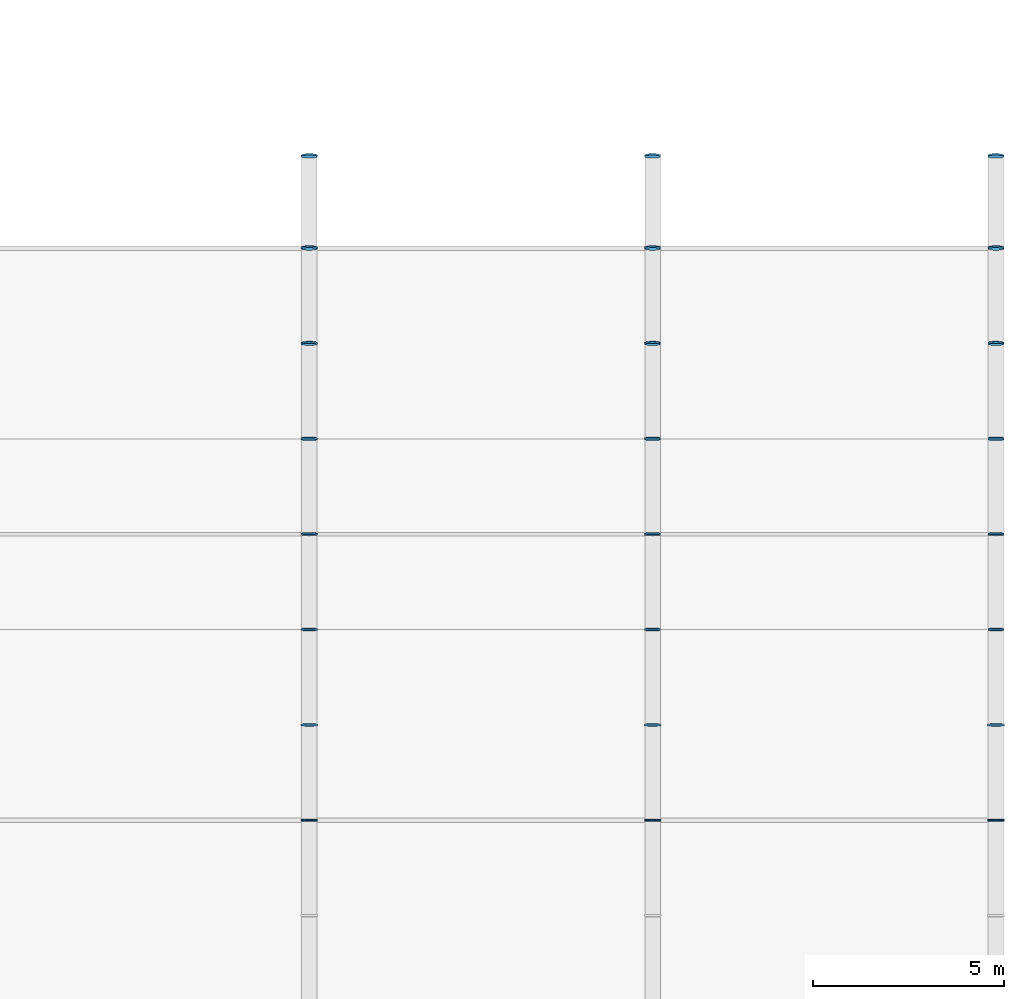
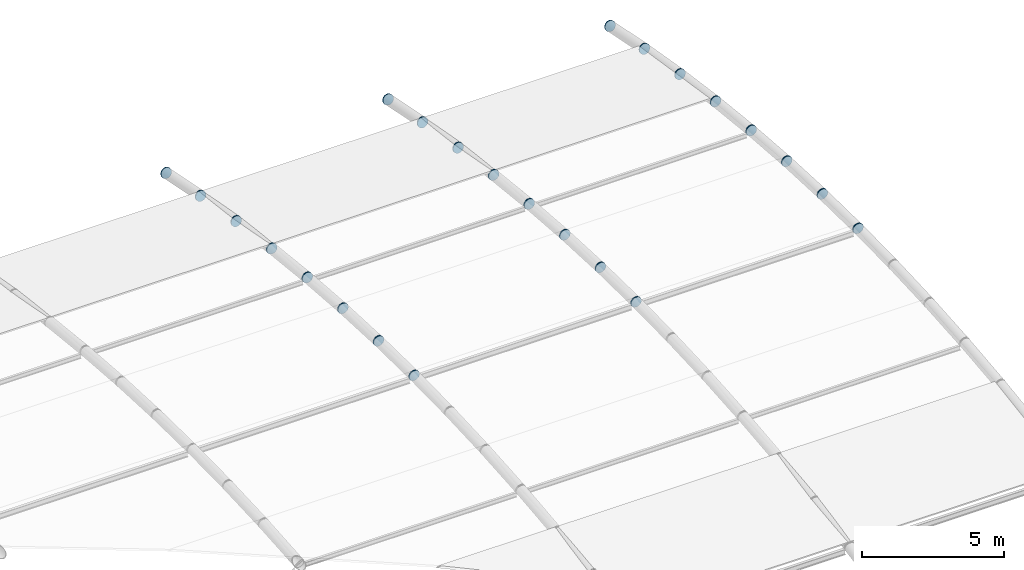
# One storey, part 82 of 105: 45 discrete accessories.
"""IFC4 building model written with IfcOpenShell, lengths in metres."""

from ifc_helpers import new_model, si_unit, direction, frame, origin, origin_2d, place, context, subcontext, project, spatial, circle, extrude, material, element, save


model = new_model("IFC4")

# Units and contexts
model_context = context("Model", 3, precision=1e-05, world=origin(), true_north=direction((0.0, 1.0)))
body_context = subcontext(model_context, "Body", "Model", "MODEL_VIEW")
ifc_project = project(units=[si_unit("LENGTHUNIT", "METRE"), si_unit("AREAUNIT", "SQUARE_METRE"), si_unit("VOLUMEUNIT", "CUBIC_METRE"), si_unit("PLANEANGLEUNIT", "RADIAN"), si_unit("MASSUNIT", "GRAM", prefix="KILO")], contexts=[model_context])

# Site, building, storey
site_placement = place(None, origin())
site = spatial("IfcSite", under=ifc_project, at=site_placement, CompositionType="ELEMENT")
building_placement = place(site_placement, origin())
building = spatial("IfcBuilding", under=site, at=building_placement, Name="Marlcrest Central Station", CompositionType="ELEMENT")
storey_placement = place(building_placement, frame((0.0, 0.0, 15.0)))
storey = spatial("IfcBuildingStorey", under=building, at=storey_placement, Name="L03", CompositionType="ELEMENT", Elevation=15.0)

# Discrete accessories
ifc_material = material(Name="Steel S355", Category="steel")
for number, where, z_axis, x_axis, name in (
    (1, (198.0, 65.97509765625, 1.799560546875), (0.0, 0.999879472592, 0.01552547228), (-1.0, 0.0, 0.0), "endcap-mem-AC-01-L03-01832-e"),
    (2, (198.0, 65.985107421875, 1.80029296875), (0.0, 0.999879472592, -0.01552547228), (-1.0, 0.0, 0.0), "endcap-mem-AC-01-L03-01836-s"),
    (3, (198.0, 68.47509765625, 1.76171875), (0.0, 0.999879472592, -0.01552547228), (-1.0, 0.0, 0.0), "endcap-mem-AC-01-L03-01836-e"),
    (4, (198.0, 68.485107421875, 1.761962890625), (0.0, 0.998921349185, -0.046434234591), (-1.0, 0.0, 0.0), "endcap-mem-AC-01-L03-01840-s"),
    (5, (198.0, 70.97509765625, 1.646240234375), (0.0, 0.998921349185, -0.046434234591), (-1.0, 0.0, 0.0), "endcap-mem-AC-01-L03-01840-e"),
    (6, (198.0, 70.985107421875, 1.646240234375), (0.0, 0.996999825732, -0.077403795064), (-1.0, 0.0, 0.0), "endcap-mem-AC-01-L03-01844-s"),
    (7, (198.0, 73.47509765625, 1.452880859375), (0.0, 0.996999825732, -0.077403795064), (-1.0, 0.0, 0.0), "endcap-mem-AC-01-L03-01844-e"),
    (8, (198.0, 73.485107421875, 1.45263671875), (0.0, 0.994155341034, -0.107959056565), (-1.0, 0.0, 0.0), "endcap-mem-AC-01-L03-01848-s"),
    (9, (198.0, 75.97509765625, 1.18212890625), (0.0, 0.994155341034, -0.107959056565), (-1.0, 0.0, 0.0), "endcap-mem-AC-01-L03-01848-e"),
    (10, (198.0, 75.985107421875, 1.181396484375), (0.0, 0.990402740232, -0.138211476152), (-1.0, 0.0, 0.0), "endcap-mem-AC-01-L03-01852-s"),
    (11, (198.0, 78.475341796875, 0.833984375), (0.0, 0.990402740232, -0.138211476152), (-1.0, 0.0, 0.0), "endcap-mem-AC-01-L03-01852-e"),
    (12, (198.0, 78.485107421875, 0.8330078125), (0.0, 0.98574109921, -0.168269086076), (-1.0, 0.0, 0.0), "endcap-mem-AC-01-L03-01856-s"),
    (13, (198.0, 80.975341796875, 0.407958984375), (0.0, 0.98574109921, -0.168269086076), (-1.0, 0.0, 0.0), "endcap-mem-AC-01-L03-01856-e"),
    (14, (198.0, 80.9853515625, 0.40673828125), (0.0, 0.980359417961, -0.197219196874), (-1.0, 0.0, 0.0), "endcap-mem-AC-01-L03-01860-s"),
    (15, (198.0, 83.3955078125, -0.078125), (0.0, 0.980359417961, -0.197219196874), (-1.0, 0.0, 0.0), "endcap-mem-AC-01-L03-01860-e"),
    (16, (207.0, 65.97509765625, 1.799560546875), (0.0, 0.999879472592, 0.01552547228), (-1.0, 0.0, 0.0), "endcap-mem-AC-01-L03-01948-e"),
    (17, (207.0, 65.985107421875, 1.80029296875), (0.0, 0.999879472592, -0.01552547228), (-1.0, 0.0, 0.0), "endcap-mem-AC-01-L03-01952-s"),
    (18, (207.0, 68.47509765625, 1.76171875), (0.0, 0.999879472592, -0.01552547228), (-1.0, 0.0, 0.0), "endcap-mem-AC-01-L03-01952-e"),
    (19, (207.0, 68.485107421875, 1.761962890625), (0.0, 0.998921349185, -0.046434234591), (-1.0, 0.0, 0.0), "endcap-mem-AC-01-L03-01956-s"),
    (20, (207.0, 70.97509765625, 1.646240234375), (0.0, 0.998921349185, -0.046434234591), (-1.0, 0.0, 0.0), "endcap-mem-AC-01-L03-01956-e"),
    (21, (207.0, 70.985107421875, 1.646240234375), (0.0, 0.996999825732, -0.077403795064), (-1.0, 0.0, 0.0), "endcap-mem-AC-01-L03-01960-s"),
    (22, (207.0, 73.47509765625, 1.452880859375), (0.0, 0.996999825732, -0.077403795064), (-1.0, 0.0, 0.0), "endcap-mem-AC-01-L03-01960-e"),
    (23, (207.0, 73.485107421875, 1.45263671875), (0.0, 0.994155341034, -0.107959056565), (-1.0, 0.0, 0.0), "endcap-mem-AC-01-L03-01964-s"),
    (24, (207.0, 75.97509765625, 1.18212890625), (0.0, 0.994155341034, -0.107959056565), (-1.0, 0.0, 0.0), "endcap-mem-AC-01-L03-01964-e"),
    (25, (207.0, 75.985107421875, 1.181396484375), (0.0, 0.990402740232, -0.138211476152), (-1.0, 0.0, 0.0), "endcap-mem-AC-01-L03-01968-s"),
    (26, (207.0, 78.475341796875, 0.833984375), (0.0, 0.990402740232, -0.138211476152), (-1.0, 0.0, 0.0), "endcap-mem-AC-01-L03-01968-e"),
    (27, (207.0, 78.485107421875, 0.8330078125), (0.0, 0.98574109921, -0.168269086076), (-1.0, 0.0, 0.0), "endcap-mem-AC-01-L03-01972-s"),
    (28, (207.0, 80.975341796875, 0.407958984375), (0.0, 0.98574109921, -0.168269086076), (-1.0, 0.0, 0.0), "endcap-mem-AC-01-L03-01972-e"),
    (29, (207.0, 80.9853515625, 0.40673828125), (0.0, 0.980359417961, -0.197219196874), (-1.0, 0.0, 0.0), "endcap-mem-AC-01-L03-01976-s"),
    (30, (207.0, 83.3955078125, -0.078125), (0.0, 0.980359417961, -0.197219196874), (-1.0, 0.0, 0.0), "endcap-mem-AC-01-L03-01976-e"),
    (31, (216.0, 65.97509765625, 1.799560546875), (0.0, 0.999879472592, 0.01552547228), (-1.0, 0.0, 0.0), "endcap-mem-AC-01-L03-02064-e"),
    (32, (216.0, 65.985107421875, 1.80029296875), (0.0, 0.999879472592, -0.01552547228), (-1.0, 0.0, 0.0), "endcap-mem-AC-01-L03-02068-s"),
    (33, (216.0, 68.47509765625, 1.76171875), (0.0, 0.999879472592, -0.01552547228), (-1.0, 0.0, 0.0), "endcap-mem-AC-01-L03-02068-e"),
    (34, (216.0, 68.485107421875, 1.761962890625), (0.0, 0.998921349185, -0.046434234591), (-1.0, 0.0, 0.0), "endcap-mem-AC-01-L03-02072-s"),
    (35, (216.0, 70.97509765625, 1.646240234375), (0.0, 0.998921349185, -0.046434234591), (-1.0, 0.0, 0.0), "endcap-mem-AC-01-L03-02072-e"),
    (36, (216.0, 70.985107421875, 1.646240234375), (0.0, 0.996999825732, -0.077403795064), (-1.0, 0.0, 0.0), "endcap-mem-AC-01-L03-02076-s"),
    (37, (216.0, 73.47509765625, 1.452880859375), (0.0, 0.996999825732, -0.077403795064), (-1.0, 0.0, 0.0), "endcap-mem-AC-01-L03-02076-e"),
    (38, (216.0, 73.485107421875, 1.45263671875), (0.0, 0.994155341034, -0.107959056565), (-1.0, 0.0, 0.0), "endcap-mem-AC-01-L03-02080-s"),
    (39, (216.0, 75.97509765625, 1.18212890625), (0.0, 0.994155341034, -0.107959056565), (-1.0, 0.0, 0.0), "endcap-mem-AC-01-L03-02080-e"),
    (40, (216.0, 75.985107421875, 1.181396484375), (0.0, 0.990402740232, -0.138211476152), (-1.0, 0.0, 0.0), "endcap-mem-AC-01-L03-02084-s"),
    (41, (216.0, 78.475341796875, 0.833984375), (0.0, 0.990402740232, -0.138211476152), (-1.0, 0.0, 0.0), "endcap-mem-AC-01-L03-02084-e"),
    (42, (216.0, 78.485107421875, 0.8330078125), (0.0, 0.98574109921, -0.168269086076), (-1.0, 0.0, 0.0), "endcap-mem-AC-01-L03-02088-s"),
    (43, (216.0, 80.975341796875, 0.407958984375), (0.0, 0.98574109921, -0.168269086076), (-1.0, 0.0, 0.0), "endcap-mem-AC-01-L03-02088-e"),
    (44, (216.0, 80.9853515625, 0.40673828125), (0.0, 0.980359417961, -0.197219196874), (-1.0, 0.0, 0.0), "endcap-mem-AC-01-L03-02092-s"),
    (45, (216.0, 83.3955078125, -0.078125), (0.0, 0.980359417961, -0.197219196874), (-1.0, 0.0, 0.0), "endcap-mem-AC-01-L03-02092-e"),
):
    element("IfcDiscreteAccessory", number, at=place(storey_placement, frame(where, z_axis=z_axis, x_axis=x_axis)), inside=storey, material=ifc_material, Name=name, ObjectType="END_CAP_PLATE", PredefinedType="BRACKET", context=body_context, shape_type="SweptSolid", body=[
        extrude(circle(Radius=0.211181640625, at=origin_2d()), origin(), (0.0, 0.0, 1.0), 0.0400390625),
    ])

save(model, "model.ifc")
